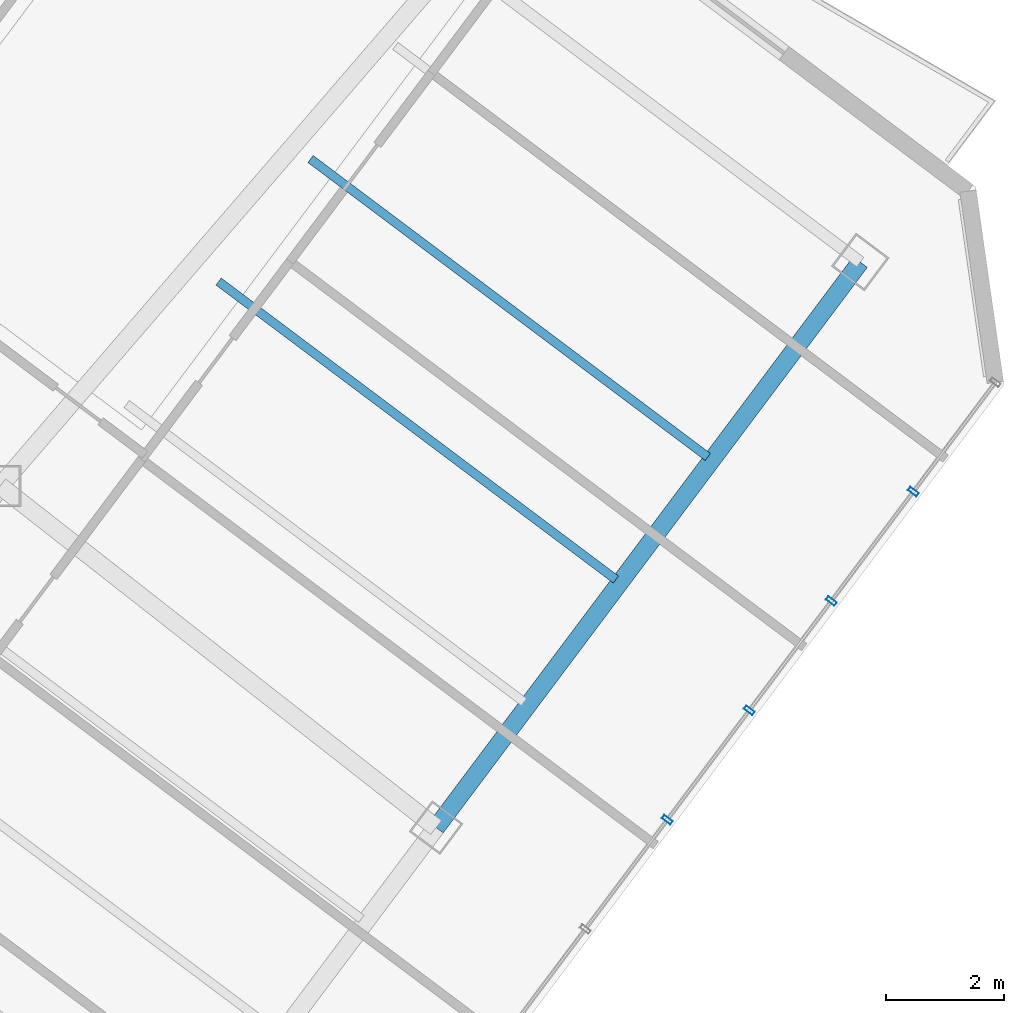
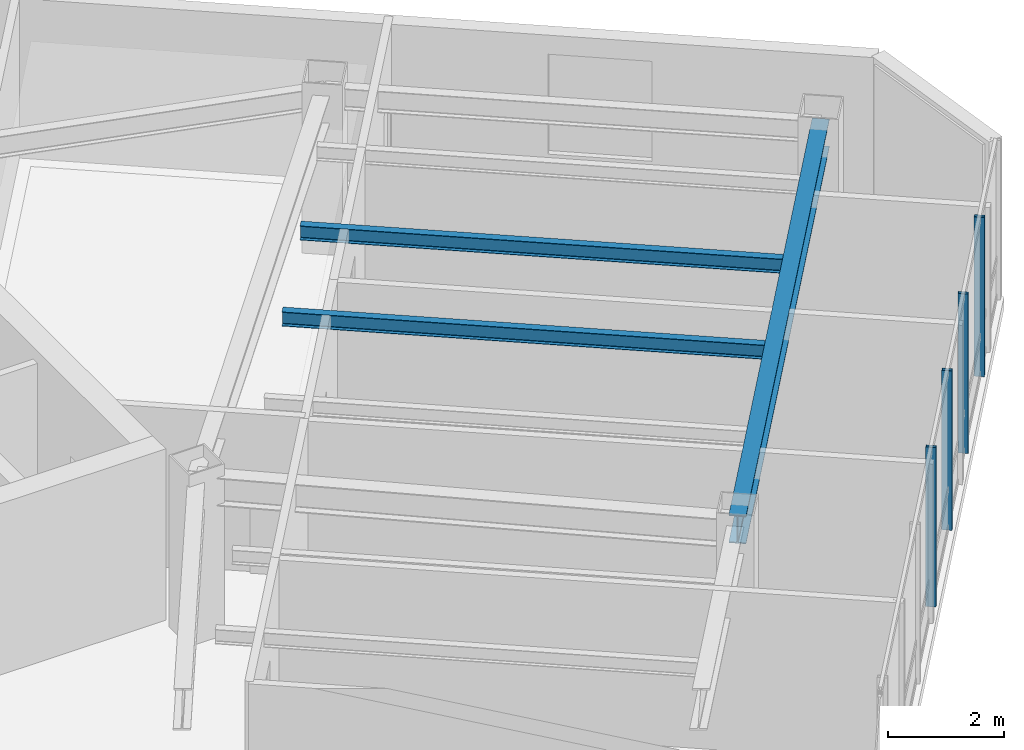
# One storey, part 13 of 25: 4 members, 3 beams, 1 element without a shape of its own.
"""IFC4 building model written with IfcOpenShell, lengths in metres."""

from ifc_helpers import new_model, si_unit, direction, frame, origin, origin_2d, place, context, subcontext, project, spatial, hollow_rectangle, i_section, extrude, material, layer, layer_set, material_profile, profile_set, type_object, element, aggregate, save


model = new_model("IFC4")

# Units and contexts
model_context = context("Model", 3, precision=1e-05, world=origin(), true_north=direction((0.0, 1.0)))
body_context = subcontext(model_context, "Body", "Model", "MODEL_VIEW")
ifc_project = project(units=[si_unit("LENGTHUNIT", "METRE"), si_unit("AREAUNIT", "SQUARE_METRE"), si_unit("VOLUMEUNIT", "CUBIC_METRE"), si_unit("PLANEANGLEUNIT", "RADIAN"), si_unit("MASSUNIT", "GRAM", prefix="KILO")], contexts=[model_context])

# Site, building, storey
site_placement = place(None, origin())
site = spatial("IfcSite", under=ifc_project, at=site_placement, CompositionType="ELEMENT")
building_placement = place(site_placement, origin())
building = spatial("IfcBuilding", under=site, at=building_placement, Name="Hatsunagi Terrace Concourse", CompositionType="ELEMENT")
storey_placement = place(building_placement, frame((0.0, 0.0, 223.949951171875)))
storey = spatial("IfcBuildingStorey", under=building, at=storey_placement, Name="L59", CompositionType="ELEMENT", Elevation=223.949951171875)

# Curtain wall, members
ifc_material_1 = material(Name="Anodised Aluminium Alloy 6063-T5", Category="aluminium")
ifc_layer = layer(ifc_material_1, 0.199951171875)
ifc_layer_set = layer_set([ifc_layer], Name="OfficeZone2_CW04")
curtain_wall_type = type_object("IfcCurtainWallType", Name="OfficeZone2_CW04", PredefinedType="NOTDEFINED", material=ifc_layer_set)
curtain_wall_placement = place(storey_placement, origin())
curtain_wall = element("IfcCurtainWall", 1, at=curtain_wall_placement, inside=storey, type_object=curtain_wall_type, Name="Unitised Curtain Wall CW-04 CW-L59-03", PredefinedType="NOTDEFINED")
ifc_material_2 = material(Name="Anodised Aluminium Alloy 6063-T5", Category="aluminium")
ifc_material_profile_1 = material_profile(ifc_material_2, hollow_rectangle(XDim=0.070068359375, YDim=0.179931640625, WallThickness=0.00390625, at=origin_2d()), Name="ALU-MUL-180x70x4")
ifc_profile_set_1 = profile_set([ifc_material_profile_1], Name="Anodised Aluminium Alloy 6063-T5")
member_type = type_object("IfcMemberType", Name="CurtainWallMullion_180x70", PredefinedType="MULLION", material=ifc_profile_set_1)
member_1_placement = place(storey_placement, frame((59.301025390625, 24.10205078125, 0.0), z_axis=(0.0, 0.0, 1.0), x_axis=(-0.599969314634, -0.800023013105, 0.0)))
member_1 = element("IfcMember", 2, at=member_1_placement, type_object=member_type, Name="Curtain Wall Mullion MUL-02", PredefinedType="MULLION", context=body_context, shape_type="SweptSolid", body=[
    extrude(hollow_rectangle(XDim=0.070068359375, YDim=0.179931640625, WallThickness=0.00390625, at=origin_2d()), origin(), (0.0, 0.0, 1.0), 3.35009765625),
])
member_2_placement = place(storey_placement, frame((57.908935546875, 22.2451171875, 0.0), z_axis=(0.0, 0.0, 1.0), x_axis=(-0.599969314634, -0.800023013105, 0.0)))
member_2 = element("IfcMember", 3, at=member_2_placement, type_object=member_type, Name="Curtain Wall Mullion MUL-02", PredefinedType="MULLION", context=body_context, shape_type="SweptSolid", body=[
    extrude(hollow_rectangle(XDim=0.070068359375, YDim=0.179931640625, WallThickness=0.00390625, at=origin_2d()), origin(), (0.0, 0.0, 1.0), 3.35009765625),
])
member_3_placement = place(storey_placement, frame((56.51611328125, 20.388916015625, 0.0), z_axis=(0.0, 0.0, 1.0), x_axis=(-0.599969314634, -0.800023013105, 0.0)))
member_3 = element("IfcMember", 4, at=member_3_placement, type_object=member_type, Name="Curtain Wall Mullion MUL-02", PredefinedType="MULLION", context=body_context, shape_type="SweptSolid", body=[
    extrude(hollow_rectangle(XDim=0.070068359375, YDim=0.179931640625, WallThickness=0.00390625, at=origin_2d()), origin(), (0.0, 0.0, 1.0), 3.35009765625),
])
member_4_placement = place(storey_placement, frame((55.1240234375, 18.531982421875, 0.0), z_axis=(0.0, 0.0, 1.0), x_axis=(-0.599969314634, -0.800023013105, 0.0)))
member_4 = element("IfcMember", 5, at=member_4_placement, type_object=member_type, Name="Curtain Wall Mullion MUL-02", PredefinedType="MULLION", context=body_context, shape_type="SweptSolid", body=[
    extrude(hollow_rectangle(XDim=0.070068359375, YDim=0.179931640625, WallThickness=0.00390625, at=origin_2d()), origin(), (0.0, 0.0, 1.0), 3.35009765625),
])
aggregate(curtain_wall, [member_1, member_2, member_3, member_4])

# Beams
ifc_material_3 = material(Name="Steel SN490B", Category="steel")
ifc_material_profile_2 = material_profile(ifc_material_3, i_section(OverallWidth=0.300048828125, OverallDepth=0.587890625, WebThickness=0.011962890625, FlangeThickness=0.02001953125, FilletRadius=0.01806640625, at=origin_2d()), Name="H-588x300x12x20")
ifc_profile_set_2 = profile_set([ifc_material_profile_2], Name="Steel SN490B")
beam_type_1 = type_object("IfcBeamType", Name="OfficeHighGirder_H_588x300", PredefinedType="BEAM", material=ifc_profile_set_2)
beam_placement = place(storey_placement, frame((51.199951171875, 18.39990234375, 3.05615234375), z_axis=(0.59999348959, 0.800004882766, 0.0), x_axis=(-0.800004882766, 0.59999348959, 0.0)))
element("IfcBeam", 6, at=beam_placement, inside=storey, type_object=beam_type_1, Name="Beam G-06 BM-L59-SET-2B", PredefinedType="BEAM", context=body_context, shape_type="SweptSolid", body=[
    extrude(i_section(OverallWidth=0.300048828125, OverallDepth=0.587890625, WebThickness=0.011962890625, FlangeThickness=0.02001953125, FilletRadius=0.01806640625, at=origin_2d()), origin(), (0.0, 0.0, 1.0), 12.0),
])
ifc_material_4 = material(Name="Steel SN490B", Category="steel")
ifc_material_profile_3 = material_profile(ifc_material_4, i_section(OverallWidth=0.14990234375, OverallDepth=0.300048828125, WebThickness=0.006591796875, FlangeThickness=0.009033203125, FilletRadius=0.010986328125, at=origin_2d()), Name="H-300x150x6.5x9")
ifc_profile_set_3 = profile_set([ifc_material_profile_3], Name="Steel SN490B")
beam_type_2 = type_object("IfcBeamType", Name="OfficeJoist_H_300x150", PredefinedType="JOIST", material=ifc_profile_set_3)
for number, where, z_axis, x_axis, name in (
    (7, (47.508056640625, 27.6689453125, 3.199951171875), (0.800003475366, -0.59999536615, 0.0), (0.59999536615, 0.800003475366, 0.0), "Beam J-03 J-L59-SE-2-168"),
    (8, (49.068115234375, 29.7490234375, 3.199951171875), (0.799989573921, -0.600013901187, 0.0), (0.600013901187, 0.799989573921, 0.0), "Beam J-03 J-L59-SE-2-194"),
):
    element("IfcBeam", number, at=place(storey_placement, frame(where, z_axis=z_axis, x_axis=x_axis)), inside=storey, type_object=beam_type_2, Name=name, PredefinedType="JOIST", context=body_context, shape_type="SweptSolid", body=[
        extrude(i_section(OverallWidth=0.14990234375, OverallDepth=0.300048828125, WebThickness=0.006591796875, FlangeThickness=0.009033203125, FilletRadius=0.010986328125, at=origin_2d()), origin(), (0.0, 0.0, 1.0), 8.429931640625),
    ])

save(model, "model.ifc")
